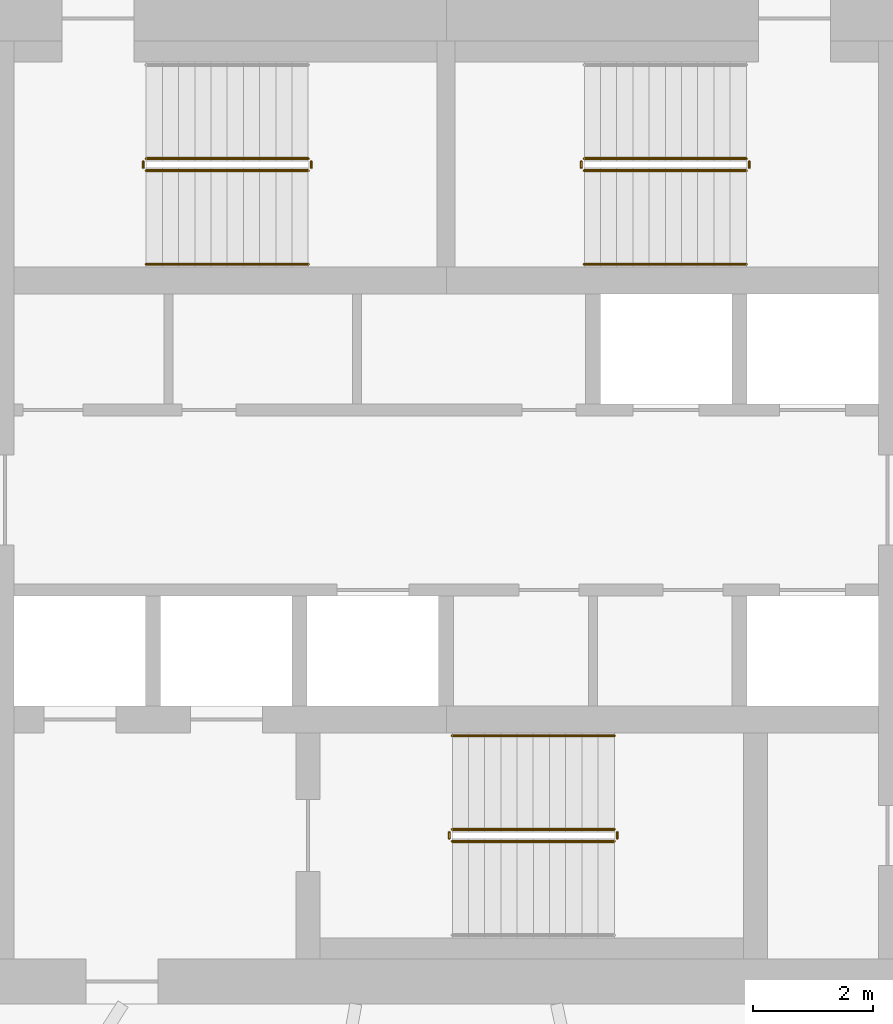
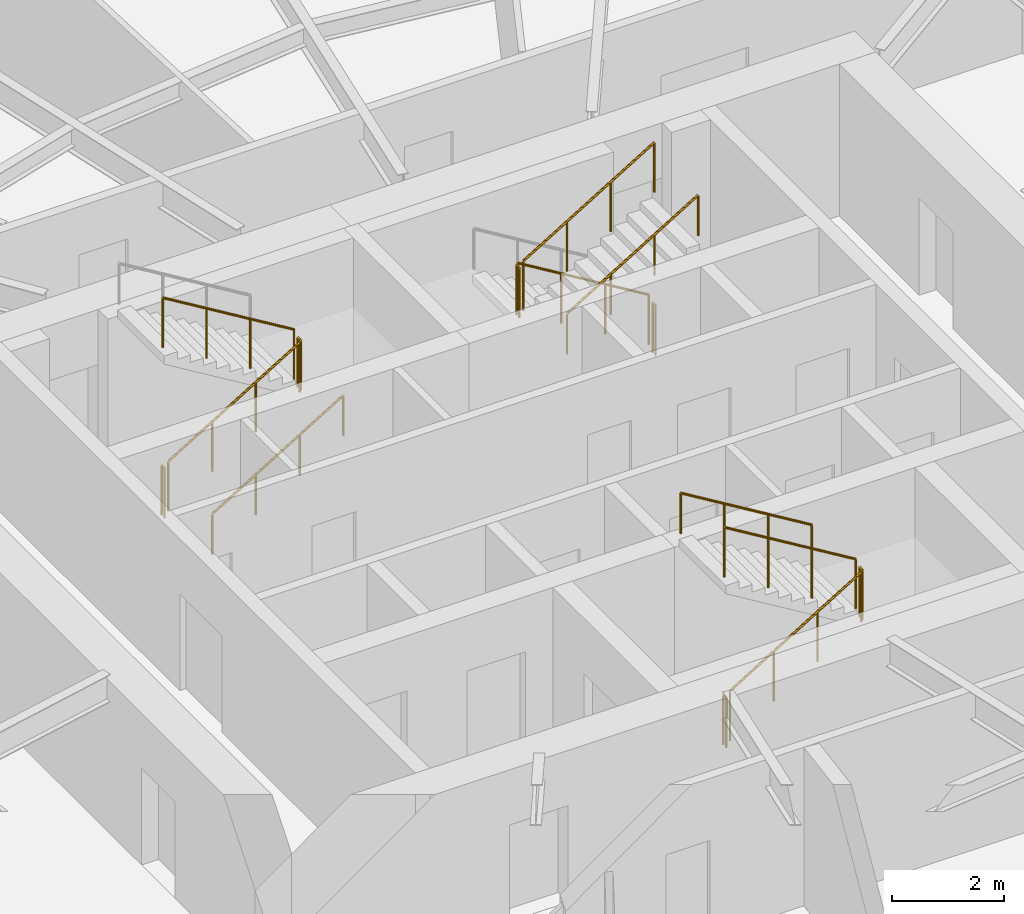
# One storey, part 13 of 14: 15 railings.
"""IFC4 building model written with IfcOpenShell, lengths in metres."""

from ifc_helpers import new_model, si_unit, direction, frame, origin, origin_2d, place, context, subcontext, project, spatial, circle, extrude, material, type_object, element, save


model = new_model("IFC4")

# Units and contexts
model_context = context("Model", 3, precision=1e-05, world=origin(), true_north=direction((0.0, 1.0)))
body_context = subcontext(model_context, "Body", "Model", "MODEL_VIEW")
ifc_project = project(units=[si_unit("LENGTHUNIT", "METRE"), si_unit("AREAUNIT", "SQUARE_METRE"), si_unit("VOLUMEUNIT", "CUBIC_METRE"), si_unit("PLANEANGLEUNIT", "RADIAN"), si_unit("MASSUNIT", "GRAM", prefix="KILO")], contexts=[model_context])

# Site, building, storey
site_placement = place(None, origin())
site = spatial("IfcSite", under=ifc_project, at=site_placement, CompositionType="ELEMENT")
building_placement = place(site_placement, origin())
building = spatial("IfcBuilding", under=site, at=building_placement, Name="Vermilion Reach Broadcast Tower", CompositionType="ELEMENT")
storey_placement = place(building_placement, frame((0.0, 0.0, 213.699951171875)))
storey = spatial("IfcBuildingStorey", under=building, at=storey_placement, Name="L52", CompositionType="ELEMENT", Elevation=213.699951171875)

# Railings
ifc_material_1 = material(Name="Stainless steel", Category="steel")
railing_type_1 = type_object("IfcRailingType", Name="Stair guard 1100", PredefinedType="GUARDRAIL", material=ifc_material_1)
railing_1_placement = place(storey_placement, frame((-11.0, 5.489990234375, 0.16357421875)))
element("IfcRailing", 1, at=railing_1_placement, inside=storey, type_object=railing_type_1, Name="L52 ST1 stair guard 1", PredefinedType="GUARDRAIL", context=body_context, shape_type="SweptSolid", body=[
    extrude(circle(Radius=0.02392578125, at=origin_2d()), frame((0.0, 0.0, 1.076171875), z_axis=(0.855178096276, 0.0, 0.518334277904), x_axis=(0.0, 1.0, 0.0)), (0.0, 0.0, 1.0), 3.1572265625),
    extrude(circle(Radius=0.02099609375, at=origin_2d()), origin(), (0.0, 0.0, 1.0), 1.052001953125),
    extrude(circle(Radius=0.02099609375, at=origin_2d()), frame((0.89990234375, 0.0, 0.54541015625)), (0.0, 0.0, 1.0), 1.052001953125),
    extrude(circle(Radius=0.02099609375, at=origin_2d()), frame((1.800048828125, 0.0, 1.091064453125)), (0.0, 0.0, 1.0), 1.052001953125),
    extrude(circle(Radius=0.02099609375, at=origin_2d()), frame((2.699951171875, 0.0, 1.636474609375)), (0.0, 0.0, 1.0), 1.052001953125),
])
railing_2_placement = place(storey_placement, frame((-8.25, 5.5400390625, 1.800048828125)))
element("IfcRailing", 2, at=railing_2_placement, inside=storey, type_object=railing_type_1, Name="L52 ST1 stair guard 2", PredefinedType="GUARDRAIL", context=body_context, shape_type="SweptSolid", body=[
    extrude(circle(Radius=0.02392578125, at=origin_2d()), frame((0.0, 0.0, 1.076171875), z_axis=(0.0, 1.0, 0.0), x_axis=(-1.0, 0.0, 0.0)), (0.0, 0.0, 1.0), 0.099853515625),
    extrude(circle(Radius=0.02099609375, at=origin_2d()), origin(), (0.0, 0.0, 1.0), 1.052001953125),
    extrude(circle(Radius=0.02099609375, at=origin_2d()), frame((0.0, 0.099853515625, 0.0)), (0.0, 0.0, 1.0), 1.052001953125),
])
railing_3_placement = place(storey_placement, frame((-8.300048828125, 5.68994140625, 1.963623046875)))
element("IfcRailing", 3, at=railing_3_placement, inside=storey, type_object=railing_type_1, Name="L52 ST1 stair guard 3", PredefinedType="GUARDRAIL", context=body_context, shape_type="SweptSolid", body=[
    extrude(circle(Radius=0.02392578125, at=origin_2d()), frame((0.0, 0.0, 1.076171875), z_axis=(-0.855178096276, 0.0, 0.518334277904), x_axis=(0.0, -1.0, 0.0)), (0.0, 0.0, 1.0), 3.1572265625),
    extrude(circle(Radius=0.02099609375, at=origin_2d()), origin(), (0.0, 0.0, 1.0), 1.052001953125),
    extrude(circle(Radius=0.02099609375, at=origin_2d()), frame((-0.89990234375, 0.0, 0.54541015625)), (0.0, 0.0, 1.0), 1.052001953125),
    extrude(circle(Radius=0.02099609375, at=origin_2d()), frame((-1.800048828125, 0.0, 1.091064453125)), (0.0, 0.0, 1.0), 1.052001953125),
    extrude(circle(Radius=0.02099609375, at=origin_2d()), frame((-2.699951171875, 0.0, 1.636474609375)), (0.0, 0.0, 1.0), 1.052001953125),
])
railing_4_placement = place(storey_placement, frame((-11.050048828125, 5.5400390625, 0.0)))
element("IfcRailing", 4, at=railing_4_placement, inside=storey, type_object=railing_type_1, Name="L52 ST1 stair guard 4", PredefinedType="GUARDRAIL", context=body_context, shape_type="SweptSolid", body=[
    extrude(circle(Radius=0.02392578125, at=origin_2d()), frame((0.0, 0.0, 1.076171875), z_axis=(0.0, 1.0, 0.0), x_axis=(-1.0, 0.0, 0.0)), (0.0, 0.0, 1.0), 0.099853515625),
    extrude(circle(Radius=0.02099609375, at=origin_2d()), origin(), (0.0, 0.0, 1.0), 1.052001953125),
    extrude(circle(Radius=0.02099609375, at=origin_2d()), frame((0.0, 0.099853515625, 0.0)), (0.0, 0.0, 1.0), 1.052001953125),
])
railing_5_placement = place(storey_placement, frame((-1.0, 5.68994140625, 0.16357421875)))
element("IfcRailing", 5, at=railing_5_placement, inside=storey, type_object=railing_type_1, Name="L52 ST2 stair guard 1", PredefinedType="GUARDRAIL", context=body_context, shape_type="SweptSolid", body=[
    extrude(circle(Radius=0.02392578125, at=origin_2d()), frame((0.0, 0.0, 1.076171875), z_axis=(-0.855178096276, 0.0, 0.518334277904), x_axis=(0.0, -1.0, 0.0)), (0.0, 0.0, 1.0), 3.1572265625),
    extrude(circle(Radius=0.02099609375, at=origin_2d()), origin(), (0.0, 0.0, 1.0), 1.052001953125),
    extrude(circle(Radius=0.02099609375, at=origin_2d()), frame((-0.89990234375, 0.0, 0.54541015625)), (0.0, 0.0, 1.0), 1.052001953125),
    extrude(circle(Radius=0.02099609375, at=origin_2d()), frame((-1.800048828125, 0.0, 1.091064453125)), (0.0, 0.0, 1.0), 1.052001953125),
    extrude(circle(Radius=0.02099609375, at=origin_2d()), frame((-2.699951171875, 0.0, 1.636474609375)), (0.0, 0.0, 1.0), 1.052001953125),
])
railing_6_placement = place(storey_placement, frame((-3.75, 5.639892578125, 1.800048828125)))
element("IfcRailing", 6, at=railing_6_placement, inside=storey, type_object=railing_type_1, Name="L52 ST2 stair guard 2", PredefinedType="GUARDRAIL", context=body_context, shape_type="SweptSolid", body=[
    extrude(circle(Radius=0.02392578125, at=origin_2d()), frame((0.0, 0.0, 1.076171875), z_axis=(0.0, -1.0, 0.0), x_axis=(1.0, 0.0, 0.0)), (0.0, 0.0, 1.0), 0.099853515625),
    extrude(circle(Radius=0.02099609375, at=origin_2d()), origin(), (0.0, 0.0, 1.0), 1.052001953125),
    extrude(circle(Radius=0.02099609375, at=origin_2d()), frame((0.0, -0.099853515625, 0.0)), (0.0, 0.0, 1.0), 1.052001953125),
])
railing_7_placement = place(storey_placement, frame((-3.699951171875, 5.489990234375, 1.963623046875)))
element("IfcRailing", 7, at=railing_7_placement, inside=storey, type_object=railing_type_1, Name="L52 ST2 stair guard 3", PredefinedType="GUARDRAIL", context=body_context, shape_type="SweptSolid", body=[
    extrude(circle(Radius=0.02392578125, at=origin_2d()), frame((0.0, 0.0, 1.076171875), z_axis=(0.855178096276, 0.0, 0.518334277904), x_axis=(0.0, 1.0, 0.0)), (0.0, 0.0, 1.0), 3.1572265625),
    extrude(circle(Radius=0.02099609375, at=origin_2d()), origin(), (0.0, 0.0, 1.0), 1.052001953125),
    extrude(circle(Radius=0.02099609375, at=origin_2d()), frame((0.89990234375, 0.0, 0.54541015625)), (0.0, 0.0, 1.0), 1.052001953125),
    extrude(circle(Radius=0.02099609375, at=origin_2d()), frame((1.800048828125, 0.0, 1.091064453125)), (0.0, 0.0, 1.0), 1.052001953125),
    extrude(circle(Radius=0.02099609375, at=origin_2d()), frame((2.699951171875, 0.0, 1.636474609375)), (0.0, 0.0, 1.0), 1.052001953125),
])
railing_8_placement = place(storey_placement, frame((-0.949951171875, 5.639892578125, 0.0)))
element("IfcRailing", 8, at=railing_8_placement, inside=storey, type_object=railing_type_1, Name="L52 ST2 stair guard 4", PredefinedType="GUARDRAIL", context=body_context, shape_type="SweptSolid", body=[
    extrude(circle(Radius=0.02392578125, at=origin_2d()), frame((0.0, 0.0, 1.076171875), z_axis=(0.0, -1.0, 0.0), x_axis=(1.0, 0.0, 0.0)), (0.0, 0.0, 1.0), 0.099853515625),
    extrude(circle(Radius=0.02099609375, at=origin_2d()), origin(), (0.0, 0.0, 1.0), 1.052001953125),
    extrude(circle(Radius=0.02099609375, at=origin_2d()), frame((0.0, -0.099853515625, 0.0)), (0.0, 0.0, 1.0), 1.052001953125),
])
railing_9_placement = place(storey_placement, frame((-5.89990234375, -5.68994140625, 0.16357421875)))
element("IfcRailing", 9, at=railing_9_placement, inside=storey, type_object=railing_type_1, Name="L52 ST3 stair guard 1", PredefinedType="GUARDRAIL", context=body_context, shape_type="SweptSolid", body=[
    extrude(circle(Radius=0.02392578125, at=origin_2d()), frame((0.0, 0.0, 1.076171875), z_axis=(0.855178096276, 0.0, 0.518334277904), x_axis=(0.0, 1.0, 0.0)), (0.0, 0.0, 1.0), 3.1572265625),
    extrude(circle(Radius=0.02099609375, at=origin_2d()), origin(), (0.0, 0.0, 1.0), 1.052001953125),
    extrude(circle(Radius=0.02099609375, at=origin_2d()), frame((0.89990234375, 0.0, 0.54541015625)), (0.0, 0.0, 1.0), 1.052001953125),
    extrude(circle(Radius=0.02099609375, at=origin_2d()), frame((1.800048828125, 0.0, 1.091064453125)), (0.0, 0.0, 1.0), 1.052001953125),
    extrude(circle(Radius=0.02099609375, at=origin_2d()), frame((2.699951171875, 0.0, 1.636474609375)), (0.0, 0.0, 1.0), 1.052001953125),
])
railing_10_placement = place(storey_placement, frame((-3.14990234375, -5.639892578125, 1.800048828125)))
element("IfcRailing", 10, at=railing_10_placement, inside=storey, type_object=railing_type_1, Name="L52 ST3 stair guard 2", PredefinedType="GUARDRAIL", context=body_context, shape_type="SweptSolid", body=[
    extrude(circle(Radius=0.02392578125, at=origin_2d()), frame((0.0, 0.0, 1.076171875), z_axis=(0.0, 1.0, 0.0), x_axis=(-1.0, 0.0, 0.0)), (0.0, 0.0, 1.0), 0.099853515625),
    extrude(circle(Radius=0.02099609375, at=origin_2d()), origin(), (0.0, 0.0, 1.0), 1.052001953125),
    extrude(circle(Radius=0.02099609375, at=origin_2d()), frame((0.0, 0.099853515625, 0.0)), (0.0, 0.0, 1.0), 1.052001953125),
])
railing_11_placement = place(storey_placement, frame((-3.199951171875, -5.489990234375, 1.963623046875)))
element("IfcRailing", 11, at=railing_11_placement, inside=storey, type_object=railing_type_1, Name="L52 ST3 stair guard 3", PredefinedType="GUARDRAIL", context=body_context, shape_type="SweptSolid", body=[
    extrude(circle(Radius=0.02392578125, at=origin_2d()), frame((0.0, 0.0, 1.076171875), z_axis=(-0.855178096276, 0.0, 0.518334277904), x_axis=(0.0, -1.0, 0.0)), (0.0, 0.0, 1.0), 3.1572265625),
    extrude(circle(Radius=0.02099609375, at=origin_2d()), origin(), (0.0, 0.0, 1.0), 1.052001953125),
    extrude(circle(Radius=0.02099609375, at=origin_2d()), frame((-0.89990234375, 0.0, 0.54541015625)), (0.0, 0.0, 1.0), 1.052001953125),
    extrude(circle(Radius=0.02099609375, at=origin_2d()), frame((-1.800048828125, 0.0, 1.091064453125)), (0.0, 0.0, 1.0), 1.052001953125),
    extrude(circle(Radius=0.02099609375, at=origin_2d()), frame((-2.699951171875, 0.0, 1.636474609375)), (0.0, 0.0, 1.0), 1.052001953125),
])
railing_12_placement = place(storey_placement, frame((-5.949951171875, -5.639892578125, 0.0)))
element("IfcRailing", 12, at=railing_12_placement, inside=storey, type_object=railing_type_1, Name="L52 ST3 stair guard 4", PredefinedType="GUARDRAIL", context=body_context, shape_type="SweptSolid", body=[
    extrude(circle(Radius=0.02392578125, at=origin_2d()), frame((0.0, 0.0, 1.076171875), z_axis=(0.0, 1.0, 0.0), x_axis=(-1.0, 0.0, 0.0)), (0.0, 0.0, 1.0), 0.099853515625),
    extrude(circle(Radius=0.02099609375, at=origin_2d()), origin(), (0.0, 0.0, 1.0), 1.052001953125),
    extrude(circle(Radius=0.02099609375, at=origin_2d()), frame((0.0, 0.099853515625, 0.0)), (0.0, 0.0, 1.0), 1.052001953125),
])
ifc_material_2 = material(Name="Stainless steel", Category="steel")
railing_type_2 = type_object("IfcRailingType", Name="Stair handrail", PredefinedType="HANDRAIL", material=ifc_material_2)
for number, where, name in (
    (13, (-11.0, 3.929931640625, 0.16357421875), "L52 ST1 stair handrail 1"),
    (14, (-3.699951171875, 3.929931640625, 1.963623046875), "L52 ST2 stair handrail 2"),
):
    element("IfcRailing", number, at=place(storey_placement, frame(where)), inside=storey, type_object=railing_type_2, Name=name, PredefinedType="HANDRAIL", context=body_context, shape_type="SweptSolid", body=[
        extrude(circle(Radius=0.02392578125, at=origin_2d()), frame((0.0, 0.0, 0.8759765625), z_axis=(0.855178096276, 0.0, 0.518334277904), x_axis=(0.0, 1.0, 0.0)), (0.0, 0.0, 1.0), 3.1572265625),
        extrude(circle(Radius=0.02099609375, at=origin_2d()), origin(), (0.0, 0.0, 1.0), 0.851806640625),
        extrude(circle(Radius=0.02099609375, at=origin_2d()), frame((0.89990234375, 0.0, 0.54541015625)), (0.0, 0.0, 1.0), 0.851806640625),
        extrude(circle(Radius=0.02099609375, at=origin_2d()), frame((1.800048828125, 0.0, 1.091064453125)), (0.0, 0.0, 1.0), 0.851806640625),
        extrude(circle(Radius=0.02099609375, at=origin_2d()), frame((2.699951171875, 0.0, 1.636474609375)), (0.0, 0.0, 1.0), 0.851806640625),
    ])
railing_13_placement = place(storey_placement, frame((-3.199951171875, -3.929931640625, 1.963623046875)))
element("IfcRailing", 15, at=railing_13_placement, inside=storey, type_object=railing_type_2, Name="L52 ST3 stair handrail 2", PredefinedType="HANDRAIL", context=body_context, shape_type="SweptSolid", body=[
    extrude(circle(Radius=0.02392578125, at=origin_2d()), frame((0.0, 0.0, 0.8759765625), z_axis=(-0.855178096276, 0.0, 0.518334277904), x_axis=(0.0, -1.0, 0.0)), (0.0, 0.0, 1.0), 3.1572265625),
    extrude(circle(Radius=0.02099609375, at=origin_2d()), origin(), (0.0, 0.0, 1.0), 0.851806640625),
    extrude(circle(Radius=0.02099609375, at=origin_2d()), frame((-0.89990234375, 0.0, 0.54541015625)), (0.0, 0.0, 1.0), 0.851806640625),
    extrude(circle(Radius=0.02099609375, at=origin_2d()), frame((-1.800048828125, 0.0, 1.091064453125)), (0.0, 0.0, 1.0), 0.851806640625),
    extrude(circle(Radius=0.02099609375, at=origin_2d()), frame((-2.699951171875, 0.0, 1.636474609375)), (0.0, 0.0, 1.0), 0.851806640625),
])

save(model, "model.ifc")
